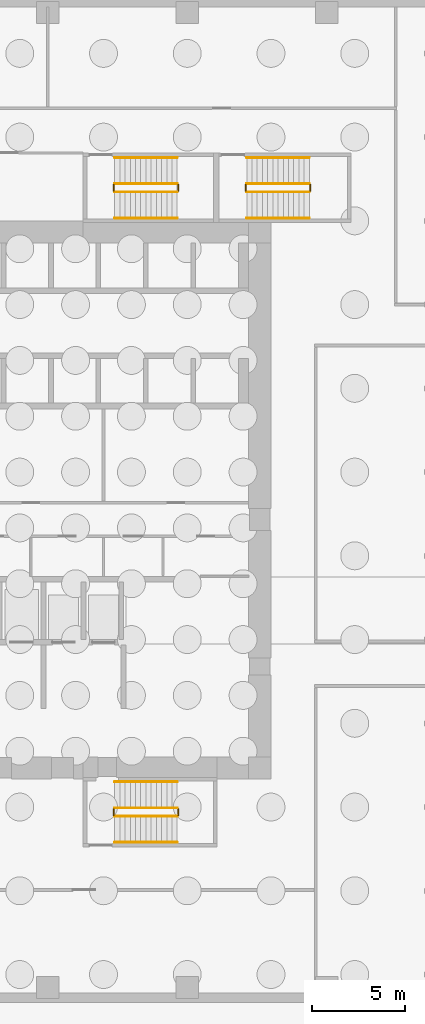
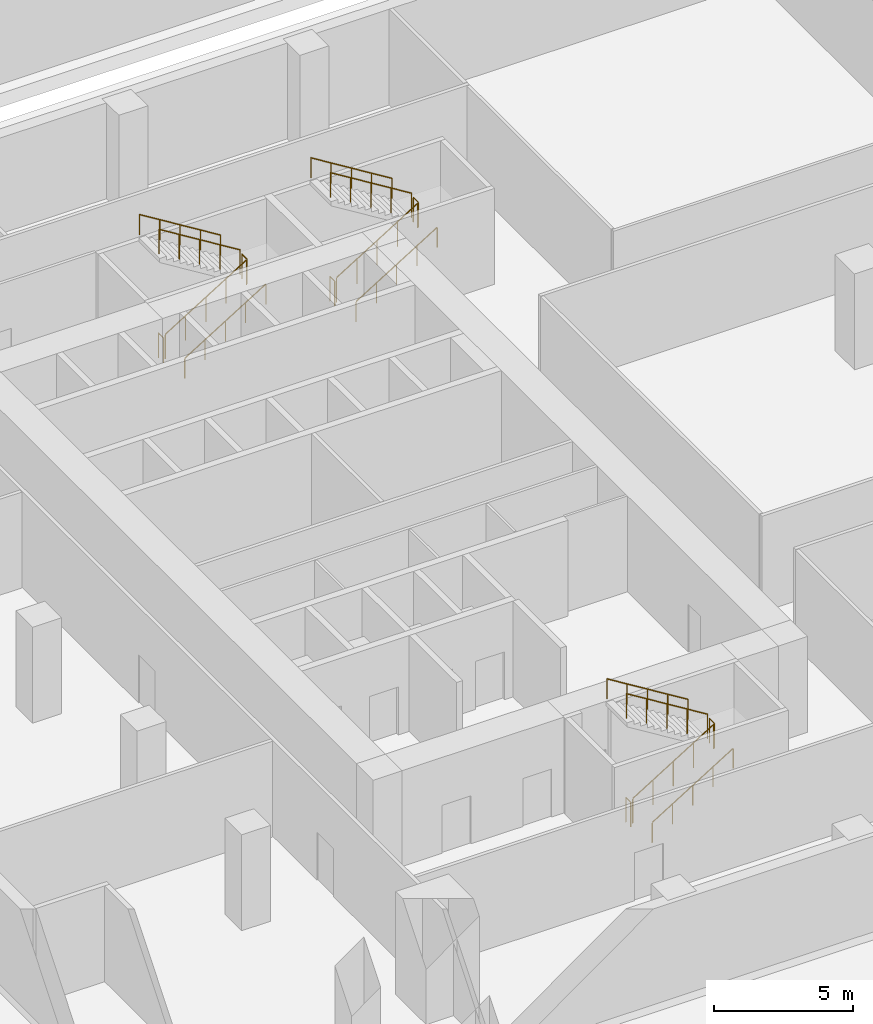
# One storey, part 9 of 10: 18 railings.
"""IFC4 building model written with IfcOpenShell, lengths in metres."""

from ifc_helpers import new_model, si_unit, direction, frame, origin, origin_2d, place, context, subcontext, project, spatial, circle, extrude, source, transform, mapped, material, type_object, element, save


model = new_model("IFC4")

# Units and contexts
model_context = context("Model", 3, precision=1e-05, world=origin(), true_north=direction((0.0, 1.0)))
body_context = subcontext(model_context, "Body", "Model", "MODEL_VIEW")
ifc_project = project(units=[si_unit("LENGTHUNIT", "METRE"), si_unit("AREAUNIT", "SQUARE_METRE"), si_unit("VOLUMEUNIT", "CUBIC_METRE"), si_unit("PLANEANGLEUNIT", "RADIAN"), si_unit("MASSUNIT", "GRAM", prefix="KILO")], contexts=[model_context])

# Site, building, storey
site_placement = place(None, origin())
site = spatial("IfcSite", under=ifc_project, at=site_placement, CompositionType="ELEMENT")
building_placement = place(site_placement, origin())
building = spatial("IfcBuilding", under=site, at=building_placement, Name="Khomas Fold Tower", CompositionType="ELEMENT")
storey_placement = place(building_placement, frame((0.0, 0.0, -9.0)))
storey = spatial("IfcBuildingStorey", under=building, at=storey_placement, Name="B2", CompositionType="ELEMENT", Elevation=-9.0)

# Railings
ifc_material_1 = material(Name="Steel balustrade", Category="steel")
railing_type_1 = type_object("IfcRailingType", Name="Stair guard", PredefinedType="GUARDRAIL", material=ifc_material_1)
shared_shape_1 = source(origin(), body_context, "Body", "SweptSolid", [
    extrude(circle(Radius=0.02392578125, at=origin_2d()), frame((0.0, 0.0, 1.076171875), z_axis=(0.850606129759, 0.0, 0.525803396734), x_axis=(0.0, 1.0, 0.0)), (0.0, 0.0, 1.0), 3.949951171875),
    extrude(circle(Radius=0.02099609375, at=origin_2d()), origin(), (0.0, 0.0, 1.0), 1.052001953125),
    extrude(circle(Radius=0.02099609375, at=origin_2d()), frame((0.83984375, 0.0, 0.519287109375)), (0.0, 0.0, 1.0), 1.052001953125),
    extrude(circle(Radius=0.02099609375, at=origin_2d()), frame((1.679931640625, 0.0, 1.03857421875)), (0.0, 0.0, 1.0), 1.052001953125),
    extrude(circle(Radius=0.02099609375, at=origin_2d()), frame((2.52001953125, 0.0, 1.5576171875)), (0.0, 0.0, 1.0), 1.052001953125),
    extrude(circle(Radius=0.02099609375, at=origin_2d()), frame((3.35986328125, 0.0, 2.076904296875)), (0.0, 0.0, 1.0), 1.052001953125),
])
for number, where, name in (
    (1, (15.60009765625, 43.550048828125, 0.173095703125), "B2 ST1 stair guard 1"),
    (2, (15.60009765625, 10.0, 0.173095703125), "B2 ST2 stair guard 1"),
):
    element("IfcRailing", number, at=place(storey_placement, frame(where)), inside=storey, type_object=railing_type_1, Name=name, PredefinedType="GUARDRAIL", context=body_context, shape_type="MappedRepresentation", body=[
        mapped(shared_shape_1, transform((0.0, 0.0, 0.0))),
    ])
shared_shape_2 = source(origin(), body_context, "Body", "SweptSolid", [
    extrude(circle(Radius=0.02392578125, at=origin_2d()), frame((0.0, 0.0, 1.076171875), z_axis=(0.0, 1.0, 0.0), x_axis=(-1.0, 0.0, 0.0)), (0.0, 0.0, 1.0), 0.349853515625),
    extrude(circle(Radius=0.02099609375, at=origin_2d()), origin(), (0.0, 0.0, 1.0), 1.052001953125),
    extrude(circle(Radius=0.02099609375, at=origin_2d()), frame((0.0, 0.349853515625, 0.0)), (0.0, 0.0, 1.0), 1.052001953125),
])
for number, where, name in (
    (3, (19.010009765625, 43.60009765625, 2.25), "B2 ST1 stair guard 2"),
    (4, (15.550048828125, 43.60009765625, 0.0), "B2 ST1 stair guard 4"),
    (5, (19.010009765625, 10.050048828125, 2.25), "B2 ST2 stair guard 2"),
    (6, (15.550048828125, 10.050048828125, 0.0), "B2 ST2 stair guard 4"),
    (7, (26.110107421875, 43.60009765625, 2.25), "B2 ST3 stair guard 2"),
    (8, (22.64990234375, 43.60009765625, 0.0), "B2 ST3 stair guard 4"),
):
    element("IfcRailing", number, at=place(storey_placement, frame(where)), inside=storey, type_object=railing_type_1, Name=name, PredefinedType="GUARDRAIL", context=body_context, shape_type="MappedRepresentation", body=[
        mapped(shared_shape_2, transform((0.0, 0.0, 0.0))),
    ])
shared_shape_3 = source(origin(), body_context, "Body", "SweptSolid", [
    extrude(circle(Radius=0.02392578125, at=origin_2d()), frame((0.0, 0.0, 1.076171875), z_axis=(-0.850606129759, 0.0, 0.525803396734), x_axis=(0.0, -1.0, 0.0)), (0.0, 0.0, 1.0), 3.949951171875),
    extrude(circle(Radius=0.02099609375, at=origin_2d()), origin(), (0.0, 0.0, 1.0), 1.052001953125),
    extrude(circle(Radius=0.02099609375, at=origin_2d()), frame((-0.83984375, 0.0, 0.519287109375)), (0.0, 0.0, 1.0), 1.052001953125),
    extrude(circle(Radius=0.02099609375, at=origin_2d()), frame((-1.679931640625, 0.0, 1.03857421875)), (0.0, 0.0, 1.0), 1.052001953125),
    extrude(circle(Radius=0.02099609375, at=origin_2d()), frame((-2.52001953125, 0.0, 1.5576171875)), (0.0, 0.0, 1.0), 1.052001953125),
    extrude(circle(Radius=0.02099609375, at=origin_2d()), frame((-3.35986328125, 0.0, 2.076904296875)), (0.0, 0.0, 1.0), 1.052001953125),
])
for number, where, name in (
    (9, (18.9599609375, 44.0, 2.423095703125), "B2 ST1 stair guard 3"),
    (10, (18.9599609375, 10.449951171875, 2.423095703125), "B2 ST2 stair guard 3"),
):
    element("IfcRailing", number, at=place(storey_placement, frame(where)), inside=storey, type_object=railing_type_1, Name=name, PredefinedType="GUARDRAIL", context=body_context, shape_type="MappedRepresentation", body=[
        mapped(shared_shape_3, transform((0.0, 0.0, 0.0))),
    ])
ifc_material_2 = material(Name="Steel handrail", Category="steel")
railing_type_2 = type_object("IfcRailingType", Name="Stair handrail", PredefinedType="HANDRAIL", material=ifc_material_2)
shared_shape_4 = source(origin(), body_context, "Body", "SweptSolid", [
    extrude(circle(Radius=0.02392578125, at=origin_2d()), frame((0.0, 0.0, 0.8759765625), z_axis=(0.850606129759, 0.0, 0.525803396734), x_axis=(0.0, 1.0, 0.0)), (0.0, 0.0, 1.0), 3.949951171875),
    extrude(circle(Radius=0.02099609375, at=origin_2d()), origin(), (0.0, 0.0, 1.0), 0.851806640625),
    extrude(circle(Radius=0.02099609375, at=origin_2d()), frame((0.83984375, 0.0, 0.519287109375)), (0.0, 0.0, 1.0), 0.851806640625),
    extrude(circle(Radius=0.02099609375, at=origin_2d()), frame((1.679931640625, 0.0, 1.03857421875)), (0.0, 0.0, 1.0), 0.851806640625),
    extrude(circle(Radius=0.02099609375, at=origin_2d()), frame((2.52001953125, 0.0, 1.5576171875)), (0.0, 0.0, 1.0), 0.851806640625),
    extrude(circle(Radius=0.02099609375, at=origin_2d()), frame((3.35986328125, 0.0, 2.076904296875)), (0.0, 0.0, 1.0), 0.851806640625),
])
for number, where, name in (
    (11, (15.60009765625, 42.14990234375, 0.173095703125), "B2 ST1 stair handrail 1"),
    (12, (15.60009765625, 8.60009765625, 0.173095703125), "B2 ST2 stair handrail 1"),
):
    element("IfcRailing", number, at=place(storey_placement, frame(where)), inside=storey, type_object=railing_type_2, Name=name, PredefinedType="HANDRAIL", context=body_context, shape_type="MappedRepresentation", body=[
        mapped(shared_shape_4, transform((0.0, 0.0, 0.0))),
    ])
shared_shape_5 = source(origin(), body_context, "Body", "SweptSolid", [
    extrude(circle(Radius=0.02392578125, at=origin_2d()), frame((0.0, 0.0, 0.8759765625), z_axis=(-0.850606129759, 0.0, 0.525803396734), x_axis=(0.0, -1.0, 0.0)), (0.0, 0.0, 1.0), 3.949951171875),
    extrude(circle(Radius=0.02099609375, at=origin_2d()), origin(), (0.0, 0.0, 1.0), 0.851806640625),
    extrude(circle(Radius=0.02099609375, at=origin_2d()), frame((-0.83984375, 0.0, 0.519287109375)), (0.0, 0.0, 1.0), 0.851806640625),
    extrude(circle(Radius=0.02099609375, at=origin_2d()), frame((-1.679931640625, 0.0, 1.03857421875)), (0.0, 0.0, 1.0), 0.851806640625),
    extrude(circle(Radius=0.02099609375, at=origin_2d()), frame((-2.52001953125, 0.0, 1.5576171875)), (0.0, 0.0, 1.0), 0.851806640625),
    extrude(circle(Radius=0.02099609375, at=origin_2d()), frame((-3.35986328125, 0.0, 2.076904296875)), (0.0, 0.0, 1.0), 0.851806640625),
])
for number, where, name in (
    (13, (18.9599609375, 45.39990234375, 2.423095703125), "B2 ST1 stair handrail 2"),
    (14, (18.9599609375, 11.85009765625, 2.423095703125), "B2 ST2 stair handrail 2"),
):
    element("IfcRailing", number, at=place(storey_placement, frame(where)), inside=storey, type_object=railing_type_2, Name=name, PredefinedType="HANDRAIL", context=body_context, shape_type="MappedRepresentation", body=[
        mapped(shared_shape_5, transform((0.0, 0.0, 0.0))),
    ])
shared_shape_6 = source(origin(), body_context, "Body", "SweptSolid", [
    extrude(circle(Radius=0.02392578125, at=origin_2d()), frame((0.0, 0.0, 1.076171875), z_axis=(0.850623216509, 0.0, 0.525775754039), x_axis=(0.0, 1.0, 0.0)), (0.0, 0.0, 1.0), 3.9501953125),
    extrude(circle(Radius=0.02099609375, at=origin_2d()), origin(), (0.0, 0.0, 1.0), 1.052001953125),
    extrude(circle(Radius=0.02099609375, at=origin_2d()), frame((0.840087890625, 0.0, 0.519287109375)), (0.0, 0.0, 1.0), 1.052001953125),
    extrude(circle(Radius=0.02099609375, at=origin_2d()), frame((1.68017578125, 0.0, 1.03857421875)), (0.0, 0.0, 1.0), 1.052001953125),
    extrude(circle(Radius=0.02099609375, at=origin_2d()), frame((2.52001953125, 0.0, 1.5576171875)), (0.0, 0.0, 1.0), 1.052001953125),
    extrude(circle(Radius=0.02099609375, at=origin_2d()), frame((3.360107421875, 0.0, 2.076904296875)), (0.0, 0.0, 1.0), 1.052001953125),
])
railing_1_placement = place(storey_placement, frame((22.699951171875, 43.550048828125, 0.173095703125)))
element("IfcRailing", 15, at=railing_1_placement, inside=storey, type_object=railing_type_1, Name="B2 ST3 stair guard 1", PredefinedType="GUARDRAIL", context=body_context, shape_type="MappedRepresentation", body=[
    mapped(shared_shape_6, transform((0.0, 0.0, 0.0))),
])
shared_shape_7 = source(origin(), body_context, "Body", "SweptSolid", [
    extrude(circle(Radius=0.02392578125, at=origin_2d()), frame((0.0, 0.0, 1.076171875), z_axis=(-0.850623216509, 0.0, 0.525775754039), x_axis=(0.0, -1.0, 0.0)), (0.0, 0.0, 1.0), 3.9501953125),
    extrude(circle(Radius=0.02099609375, at=origin_2d()), origin(), (0.0, 0.0, 1.0), 1.052001953125),
    extrude(circle(Radius=0.02099609375, at=origin_2d()), frame((-0.840087890625, 0.0, 0.519287109375)), (0.0, 0.0, 1.0), 1.052001953125),
    extrude(circle(Radius=0.02099609375, at=origin_2d()), frame((-1.68017578125, 0.0, 1.03857421875)), (0.0, 0.0, 1.0), 1.052001953125),
    extrude(circle(Radius=0.02099609375, at=origin_2d()), frame((-2.52001953125, 0.0, 1.5576171875)), (0.0, 0.0, 1.0), 1.052001953125),
    extrude(circle(Radius=0.02099609375, at=origin_2d()), frame((-3.360107421875, 0.0, 2.076904296875)), (0.0, 0.0, 1.0), 1.052001953125),
])
railing_2_placement = place(storey_placement, frame((26.06005859375, 44.0, 2.423095703125)))
element("IfcRailing", 16, at=railing_2_placement, inside=storey, type_object=railing_type_1, Name="B2 ST3 stair guard 3", PredefinedType="GUARDRAIL", context=body_context, shape_type="MappedRepresentation", body=[
    mapped(shared_shape_7, transform((0.0, 0.0, 0.0))),
])
shared_shape_8 = source(origin(), body_context, "Body", "SweptSolid", [
    extrude(circle(Radius=0.02392578125, at=origin_2d()), frame((0.0, 0.0, 0.8759765625), z_axis=(0.850623216509, 0.0, 0.525775754039), x_axis=(0.0, 1.0, 0.0)), (0.0, 0.0, 1.0), 3.9501953125),
    extrude(circle(Radius=0.02099609375, at=origin_2d()), origin(), (0.0, 0.0, 1.0), 0.851806640625),
    extrude(circle(Radius=0.02099609375, at=origin_2d()), frame((0.840087890625, 0.0, 0.519287109375)), (0.0, 0.0, 1.0), 0.851806640625),
    extrude(circle(Radius=0.02099609375, at=origin_2d()), frame((1.68017578125, 0.0, 1.03857421875)), (0.0, 0.0, 1.0), 0.851806640625),
    extrude(circle(Radius=0.02099609375, at=origin_2d()), frame((2.52001953125, 0.0, 1.5576171875)), (0.0, 0.0, 1.0), 0.851806640625),
    extrude(circle(Radius=0.02099609375, at=origin_2d()), frame((3.360107421875, 0.0, 2.076904296875)), (0.0, 0.0, 1.0), 0.851806640625),
])
railing_3_placement = place(storey_placement, frame((22.699951171875, 42.14990234375, 0.173095703125)))
element("IfcRailing", 17, at=railing_3_placement, inside=storey, type_object=railing_type_2, Name="B2 ST3 stair handrail 1", PredefinedType="HANDRAIL", context=body_context, shape_type="MappedRepresentation", body=[
    mapped(shared_shape_8, transform((0.0, 0.0, 0.0))),
])
shared_shape_9 = source(origin(), body_context, "Body", "SweptSolid", [
    extrude(circle(Radius=0.02392578125, at=origin_2d()), frame((0.0, 0.0, 0.8759765625), z_axis=(-0.850623216509, 0.0, 0.525775754039), x_axis=(0.0, -1.0, 0.0)), (0.0, 0.0, 1.0), 3.9501953125),
    extrude(circle(Radius=0.02099609375, at=origin_2d()), origin(), (0.0, 0.0, 1.0), 0.851806640625),
    extrude(circle(Radius=0.02099609375, at=origin_2d()), frame((-0.840087890625, 0.0, 0.519287109375)), (0.0, 0.0, 1.0), 0.851806640625),
    extrude(circle(Radius=0.02099609375, at=origin_2d()), frame((-1.68017578125, 0.0, 1.03857421875)), (0.0, 0.0, 1.0), 0.851806640625),
    extrude(circle(Radius=0.02099609375, at=origin_2d()), frame((-2.52001953125, 0.0, 1.5576171875)), (0.0, 0.0, 1.0), 0.851806640625),
    extrude(circle(Radius=0.02099609375, at=origin_2d()), frame((-3.360107421875, 0.0, 2.076904296875)), (0.0, 0.0, 1.0), 0.851806640625),
])
railing_4_placement = place(storey_placement, frame((26.06005859375, 45.39990234375, 2.423095703125)))
element("IfcRailing", 18, at=railing_4_placement, inside=storey, type_object=railing_type_2, Name="B2 ST3 stair handrail 2", PredefinedType="HANDRAIL", context=body_context, shape_type="MappedRepresentation", body=[
    mapped(shared_shape_9, transform((0.0, 0.0, 0.0))),
])

save(model, "model.ifc")
